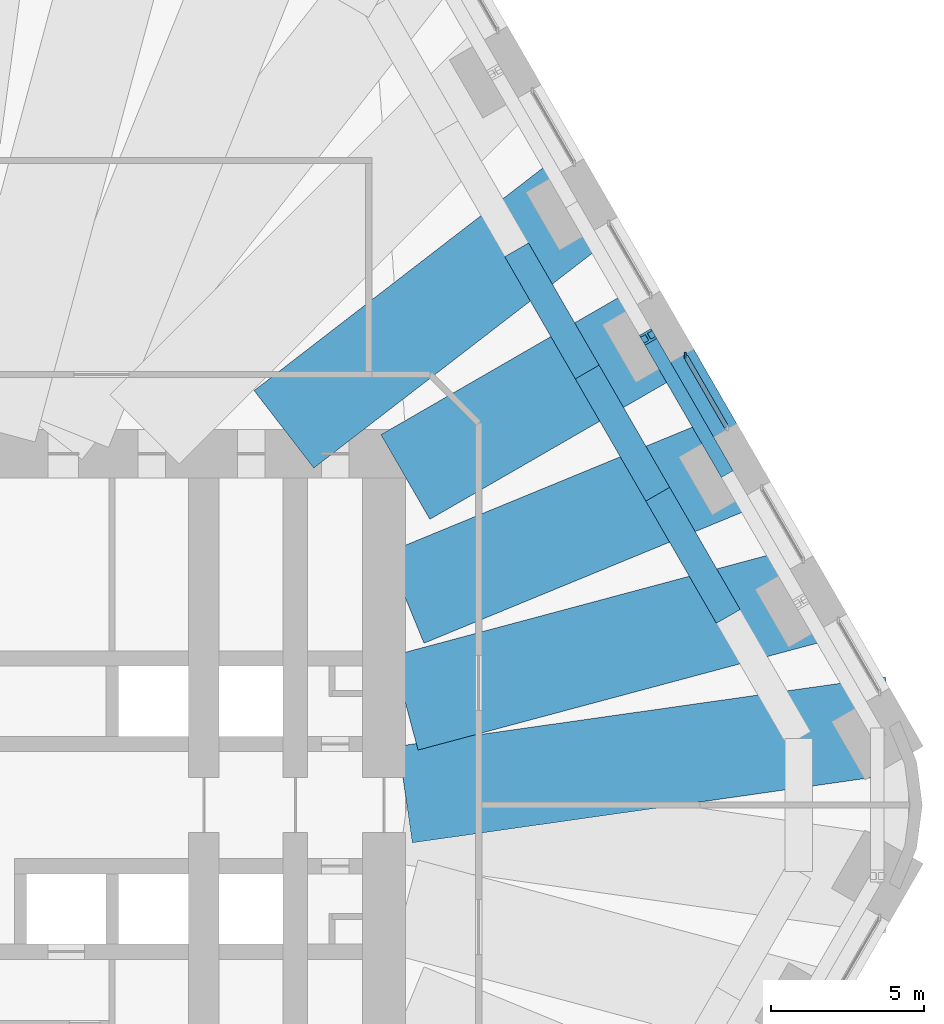
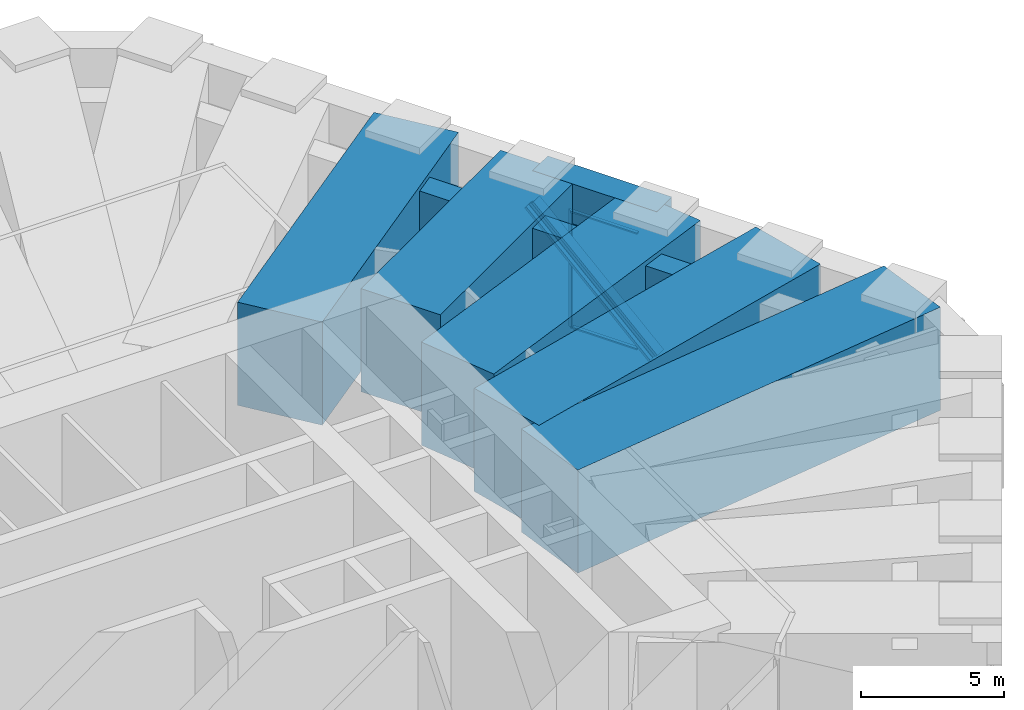
# One storey, part 8 of 16: 9 beams, 4 members, 1 element without a shape of its own.
"""IFC4 building model written with IfcOpenShell, lengths in metres."""

from ifc_helpers import new_model, si_unit, direction, frame, origin, origin_2d, place, context, subcontext, project, spatial, rectangle, i_section, extrude, material, material_profile, profile_set, type_object, element, aggregate, save


model = new_model("IFC4")

# Units and contexts
model_context = context("Model", 3, precision=1e-05, world=origin(), true_north=direction((0.0, 1.0)))
body_context = subcontext(model_context, "Body", "Model", "MODEL_VIEW")
ifc_project = project(units=[si_unit("LENGTHUNIT", "METRE"), si_unit("AREAUNIT", "SQUARE_METRE"), si_unit("VOLUMEUNIT", "CUBIC_METRE"), si_unit("PLANEANGLEUNIT", "RADIAN"), si_unit("MASSUNIT", "GRAM", prefix="KILO")], contexts=[model_context])

# Site, building, storey
site_placement = place(None, origin())
site = spatial("IfcSite", under=ifc_project, at=site_placement, CompositionType="ELEMENT")
building_placement = place(site_placement, origin())
building = spatial("IfcBuilding", under=site, at=building_placement, Name="Tarfa Lantern Tower", CompositionType="ELEMENT")
storey_placement = place(building_placement, frame((0.0, 0.0, 203.5)))
storey = spatial("IfcBuildingStorey", under=building, at=storey_placement, Name="L46", CompositionType="ELEMENT", Elevation=203.5)

# Member
ifc_material_1 = material(Name="Steel S460M", Category="steel")
ifc_material_profile_1 = material_profile(ifc_material_1, i_section(OverallWidth=0.44189453125, OverallDepth=0.531005859375, WebThickness=0.06591796875, FlangeThickness=0.10595703125, FilletRadius=0.02001953125, at=origin_2d()), Name="HD400x900")
ifc_profile_set_1 = profile_set([ifc_material_profile_1], Name="Steel S460M")
member_type_1 = type_object("IfcMemberType", Name="BT2 HD400x900", PredefinedType="BRACE", material=ifc_profile_set_1)
member_1_placement = place(storey_placement, frame((29.04541015625, 10.99169921875, 0.60009765625), z_axis=(-0.360813525196, 0.624971138743, 0.69226055483), x_axis=(-0.866033642122, -0.49998573051, 0.0)))
element("IfcMember", 1, at=member_1_placement, inside=storey, type_object=member_type_1, Name="Belt truss diagonal 3", PredefinedType="BRACE", context=body_context, shape_type="SweptSolid", body=[
    extrude(i_section(OverallWidth=0.44189453125, OverallDepth=0.531005859375, WebThickness=0.06591796875, FlangeThickness=0.10595703125, FilletRadius=0.02001953125, at=origin_2d()), origin(), (0.0, 0.0, 1.0), 6.93359375),
])

# Curtain wall, members
ifc_material_2 = material(Name="Aluminium framed curtain wall", Category="aluminium")
curtain_wall_type = type_object("IfcCurtainWallType", Name="CW6 LOUVRED SCREEN WALL 5000", PredefinedType="USERDEFINED", material=ifc_material_2)
curtain_wall_placement = place(storey_placement, origin())
curtain_wall = element("IfcCurtainWall", 2, at=curtain_wall_placement, inside=storey, type_object=curtain_wall_type, Name="CW6 NE L46", ObjectType="CURTAIN WALL", PredefinedType="USERDEFINED")
ifc_material_3 = material(Name="Aluminium mullion", Category="aluminium")
ifc_material_profile_2 = material_profile(ifc_material_3, rectangle(XDim=0.06494140625, YDim=0.199951171875, at=origin_2d()), Name="AL MULLION 65x200")
ifc_profile_set_2 = profile_set([ifc_material_profile_2], Name="Aluminium mullion")
member_type_2 = type_object("IfcMemberType", Name="CWM1 MULLION 65x200", PredefinedType="MULLION", material=ifc_profile_set_2)
member_2_placement = place(storey_placement, frame((27.759521484375, 14.71923828125, 0.0), z_axis=(0.0, 0.0, 1.0), x_axis=(1.0, 0.0, 0.0)))
member_2 = element("IfcMember", 3, at=member_2_placement, type_object=member_type_2, Name="CW6 mullion 2", PredefinedType="MULLION", context=body_context, shape_type="SweptSolid", body=[
    extrude(rectangle(XDim=0.06494140625, YDim=0.199951171875, at=origin_2d()), origin(), (0.0, 0.0, 1.0), 5.0),
])
ifc_material_4 = material(Name="Aluminium transom", Category="aluminium")
ifc_material_profile_3 = material_profile(ifc_material_4, rectangle(XDim=0.14990234375, YDim=0.06494140625, at=origin_2d()), Name="AL TRANSOM 150x65")
ifc_profile_set_3 = profile_set([ifc_material_profile_3], Name="Aluminium transom")
member_type_3 = type_object("IfcMemberType", Name="CWT1 TRANSOM 150x65", PredefinedType="USERDEFINED", material=ifc_profile_set_3)
member_3_placement = place(storey_placement, frame((29.112548828125, 12.37548828125, 0.032470703125), z_axis=(-0.499988543184, 0.866032018279, 0.0), x_axis=(-0.866032018279, -0.499988543184, 0.0)))
member_3 = element("IfcMember", 4, at=member_3_placement, type_object=member_type_3, Name="CW6 transom 1.1", ObjectType="TRANSOM", PredefinedType="USERDEFINED", context=body_context, shape_type="SweptSolid", body=[
    extrude(rectangle(XDim=0.14990234375, YDim=0.06494140625, at=origin_2d()), origin(), (0.0, 0.0, 1.0), 2.673828125),
])
member_4_placement = place(storey_placement, frame((29.112548828125, 12.37548828125, 4.967529296875), z_axis=(-0.499988543184, 0.866032018279, 0.0), x_axis=(-0.866032018279, -0.499988543184, 0.0)))
member_4 = element("IfcMember", 5, at=member_4_placement, type_object=member_type_3, Name="CW6 transom 1.2", ObjectType="TRANSOM", PredefinedType="USERDEFINED", context=body_context, shape_type="SweptSolid", body=[
    extrude(rectangle(XDim=0.14990234375, YDim=0.06494140625, at=origin_2d()), origin(), (0.0, 0.0, 1.0), 2.673828125),
])
aggregate(curtain_wall, [member_2, member_3, member_4])

# Beams
ifc_material_5 = material(Name="Concrete C80/95", Category="concrete")
ifc_material_profile_4 = material_profile(ifc_material_5, rectangle(XDim=1.050048828125, YDim=1.699951171875, at=origin_2d()), Name="RC 1050x1700")
ifc_profile_set_4 = profile_set([ifc_material_profile_4], Name="Concrete C80/95")
beam_type_1 = type_object("IfcBeamType", Name="RB2 RC 1050x1700", PredefinedType="BEAM", material=ifc_profile_set_4)
beam_1_placement = place(storey_placement, frame((29.5390625, 11.276611328125, 5.85009765625), z_axis=(-0.499964603504, 0.866045838996, 0.0), x_axis=(-0.866045838996, -0.499964603504, 0.0)))
element("IfcBeam", 6, at=beam_1_placement, inside=storey, type_object=beam_type_1, Name="Edge beam NE2", PredefinedType="BEAM", context=body_context, shape_type="SweptSolid", body=[
    extrude(rectangle(XDim=1.050048828125, YDim=1.699951171875, at=origin_2d()), origin(), (0.0, 0.0, 1.0), 5.003662109375),
])
ifc_material_profile_5 = material_profile(ifc_material_5, rectangle(XDim=0.89990234375, YDim=4.0, at=origin_2d()), Name="RC 900x4000")
ifc_profile_set_5 = profile_set([ifc_material_profile_5], Name="Concrete C80/95")
beam_type_2 = type_object("IfcBeamType", Name="RG2 RC 900x4000", PredefinedType="BEAM", material=ifc_profile_set_5)
beam_2_placement = place(storey_placement, frame((29.170654296875, 6.175048828125, 4.5), z_axis=(-0.499987836815, 0.866032426089, 0.0), x_axis=(-0.866032426089, -0.499987836815, 0.0)))
element("IfcBeam", 7, at=beam_2_placement, inside=storey, type_object=beam_type_2, Name="Ring girder NE1", PredefinedType="BEAM", context=body_context, shape_type="SweptSolid", body=[
    extrude(rectangle(XDim=0.89990234375, YDim=4.0, at=origin_2d()), origin(), (0.0, 0.0, 1.0), 4.61865234375),
])
beam_3_placement = place(storey_placement, frame((26.861328125, 10.175048828125, 4.5), z_axis=(-0.500027479704, 0.866009537788, 0.0), x_axis=(-0.866009537788, -0.500027479704, 0.0)))
element("IfcBeam", 8, at=beam_3_placement, inside=storey, type_object=beam_type_2, Name="Ring girder NE2", PredefinedType="BEAM", context=body_context, shape_type="SweptSolid", body=[
    extrude(rectangle(XDim=0.89990234375, YDim=4.0, at=origin_2d()), origin(), (0.0, 0.0, 1.0), 4.618896484375),
])
beam_4_placement = place(storey_placement, frame((24.5517578125, 14.175048828125, 4.5), z_axis=(-0.499987836815, 0.866032426089, 0.0), x_axis=(-0.866032426089, -0.499987836815, 0.0)))
element("IfcBeam", 9, at=beam_4_placement, inside=storey, type_object=beam_type_2, Name="Ring girder NE3", PredefinedType="BEAM", context=body_context, shape_type="SweptSolid", body=[
    extrude(rectangle(XDim=0.89990234375, YDim=4.0, at=origin_2d()), origin(), (0.0, 0.0, 1.0), 4.61865234375),
])
ifc_material_profile_6 = material_profile(ifc_material_5, rectangle(XDim=3.199951171875, YDim=4.39990234375, at=origin_2d()), Name="RC 3200x4400")
ifc_profile_set_6 = profile_set([ifc_material_profile_6], Name="Concrete C80/95")
beam_type_3 = type_object("IfcBeamType", Name="TG2 RC 3200x4400", PredefinedType="BEAM", material=ifc_profile_set_6)
beam_5_placement = place(storey_placement, frame((34.54296875, 2.610107421875, 4.5), z_axis=(-0.990063486473, -0.140621096399, 0.0), x_axis=(0.140621096399, -0.990063486473, 0.0)))
element("IfcBeam", 10, at=beam_5_placement, inside=storey, type_object=beam_type_3, Name="Transfer girder NE0", PredefinedType="BEAM", context=body_context, shape_type="SweptSolid", body=[
    extrude(rectangle(XDim=3.199951171875, YDim=4.39990234375, at=origin_2d()), origin(), (0.0, 0.0, 1.0), 16.102783203125),
])
beam_6_placement = place(storey_placement, frame((32.041015625, 6.943359375, 4.5), z_axis=(-0.965990168445, -0.258578797406, 0.0), x_axis=(0.258578797406, -0.965990168445, 0.0)))
element("IfcBeam", 11, at=beam_6_placement, inside=storey, type_object=beam_type_3, Name="Transfer girder NE1", PredefinedType="BEAM", context=body_context, shape_type="SweptSolid", body=[
    extrude(rectangle(XDim=3.199951171875, YDim=4.39990234375, at=origin_2d()), origin(), (0.0, 0.0, 1.0), 13.9140625),
])
beam_7_placement = place(storey_placement, frame((29.5390625, 11.276611328125, 4.5), z_axis=(-0.924798167794, -0.380458077645, 0.0), x_axis=(0.380458077645, -0.924798167794, 0.0)))
element("IfcBeam", 12, at=beam_7_placement, inside=storey, type_object=beam_type_3, Name="Transfer girder NE2", PredefinedType="BEAM", context=body_context, shape_type="SweptSolid", body=[
    extrude(rectangle(XDim=3.199951171875, YDim=4.39990234375, at=origin_2d()), origin(), (0.0, 0.0, 1.0), 11.828369140625),
])
beam_8_placement = place(storey_placement, frame((27.037353515625, 15.610107421875, 4.5), z_axis=(-0.86602158371, -0.500006616504, 0.0), x_axis=(0.500006616504, -0.86602158371, 0.0)))
element("IfcBeam", 13, at=beam_8_placement, inside=storey, type_object=beam_type_3, Name="Transfer girder NE3", PredefinedType="BEAM", context=body_context, shape_type="SweptSolid", body=[
    extrude(rectangle(XDim=3.199951171875, YDim=4.39990234375, at=origin_2d()), origin(), (0.0, 0.0, 1.0), 9.742431640625),
])
beam_9_placement = place(storey_placement, frame((24.535400390625, 19.943359375, 4.5), z_axis=(-0.791875774463, -0.610682206895, 0.0), x_axis=(0.610682206895, -0.791875774463, 0.0)))
element("IfcBeam", 14, at=beam_9_placement, inside=storey, type_object=beam_type_3, Name="Transfer girder NE4", PredefinedType="BEAM", context=body_context, shape_type="SweptSolid", body=[
    extrude(rectangle(XDim=3.199951171875, YDim=4.39990234375, at=origin_2d()), origin(), (0.0, 0.0, 1.0), 12.51611328125),
])

save(model, "model.ifc")
